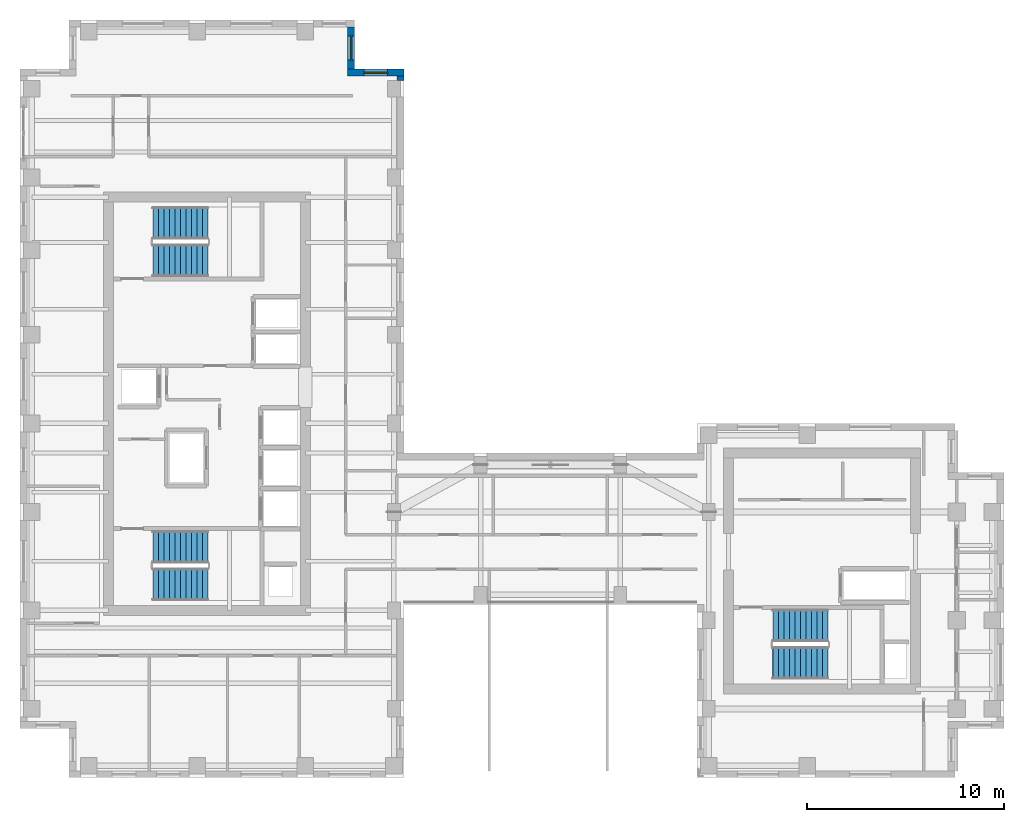
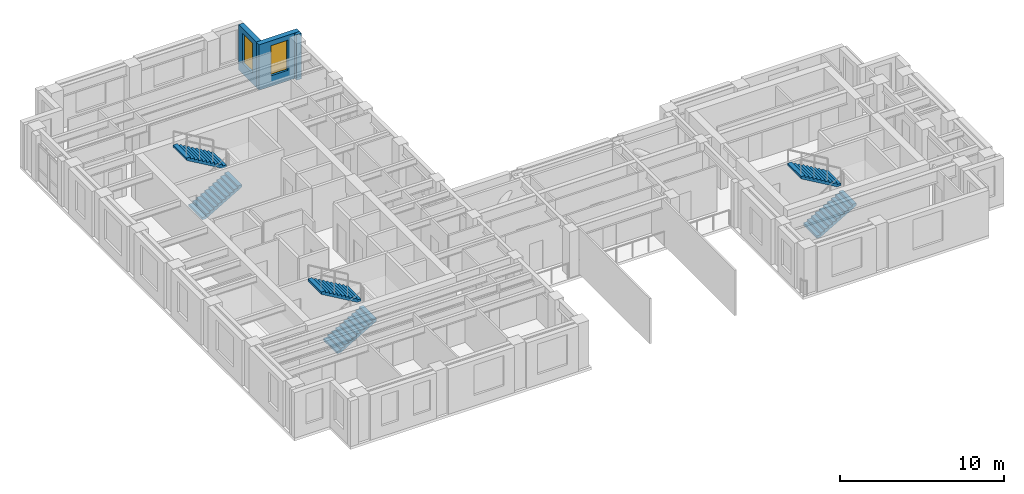
# One storey, part 11 of 14: 6 stair flights, 3 walls, 2 windows, 2 openings, 3 elements without a shape of their own.
"""IFC4 building model written with IfcOpenShell, lengths in metres."""

from ifc_helpers import new_model, si_unit, direction, frame, frame_2d, origin, place, context, subcontext, project, spatial, polyline, rectangle, outline, extrude, source, transform, mapped, material, layer, layer_set, type_object, element, fill, aggregate, save


model = new_model("IFC4")

# Units and contexts
model_context = context("Model", 3, precision=1e-05, world=origin(), true_north=direction((0.0, 1.0)))
body_context = subcontext(model_context, "Body", "Model", "MODEL_VIEW")
ifc_project = project(units=[si_unit("LENGTHUNIT", "METRE"), si_unit("AREAUNIT", "SQUARE_METRE"), si_unit("VOLUMEUNIT", "CUBIC_METRE"), si_unit("PLANEANGLEUNIT", "RADIAN"), si_unit("MASSUNIT", "GRAM", prefix="KILO")], contexts=[model_context])

# Site, building, storey
site_placement = place(None, origin())
site = spatial("IfcSite", under=ifc_project, at=site_placement, CompositionType="ELEMENT")
building_placement = place(site_placement, origin())
building = spatial("IfcBuilding", under=site, at=building_placement, Name="Kharzan Plaza Tower", CompositionType="ELEMENT")
storey_placement = place(building_placement, frame((0.0, 0.0, 241.199951171875)))
storey = spatial("IfcBuildingStorey", under=building, at=storey_placement, Name="L65", CompositionType="ELEMENT", Elevation=241.199951171875)

# Wall, opening, window
ifc_material_1 = material(Name="Concrete C40/50", Category="concrete")
ifc_layer = layer(ifc_material_1, 0.35009765625)
ifc_layer_set = layer_set([ifc_layer], Name="Concrete C40/50")
wall_type = type_object("IfcWallType", Name="WL-EXT-MAS-Z4", PredefinedType="SOLIDWALL", material=ifc_layer_set)
wall_1_placement = place(storey_placement, frame((19.5, 35.824951171875, 0.0), z_axis=(0.0, 0.0, 1.0), x_axis=(-1.0, 0.0, 0.0)))
wall_1 = element("IfcWall", 1, at=wall_1_placement, inside=storey, type_object=wall_type, Name="L65 Masonry-Frame Exterior Wall 07", PredefinedType="SOLIDWALL", context=body_context, shape_type="SweptSolid", body=[
    extrude(rectangle(XDim=2.85009765625, YDim=0.35009765625, at=frame_2d((1.425048828125, 0.0))), origin(), (0.0, 0.0, 1.0), 3.385009765625),
])
opening_1_placement = place(wall_1_placement, frame((0.824951171875, 0.0, 0.780029296875)))
opening_1 = element("IfcOpeningElement", 2, at=opening_1_placement, cuts=wall_1, Name="Opening W3", PredefinedType="OPENING", context=body_context, shape_type="SweptSolid", body=[
    extrude(rectangle(XDim=1.199951171875, YDim=2.25, at=frame_2d((0.60009765625, 1.125))), frame((0.0, 0.18505859375, 0.0), z_axis=(0.0, -1.0, 0.0), x_axis=(1.0, 0.0, 0.0)), (0.0, 0.0, 1.0), 0.3701171875),
])
ifc_material_2 = material(Name="Low-E Double Glazing", Category="glass")
window_type = type_object("IfcWindowType", Name="WN-REC-1200x2100", PartitioningType="SINGLE_PANEL", PredefinedType="WINDOW", material=ifc_material_2)
shared_shape_1 = source(origin(), body_context, "Body", "SweptSolid", [
    extrude(rectangle(XDim=1.199951171875, YDim=2.25, at=frame_2d((0.60009765625, 1.125))), frame((0.0, 0.030029296875, 0.0), z_axis=(0.0, -1.0, 0.0), x_axis=(1.0, 0.0, 0.0)), (0.0, 0.0, 1.0), 0.06005859375),
])
window_1_placement = place(opening_1_placement, origin())
window_1 = element("IfcWindow", 3, at=window_1_placement, inside=storey, type_object=window_type, Name="L65 Recessed Solar-Control Window 07-1", OverallHeight=2.25, OverallWidth=1.199951171875, PartitioningType="SINGLE_PANEL", PredefinedType="WINDOW", context=body_context, shape_type="MappedRepresentation", body=[
    mapped(shared_shape_1, transform((0.0, 0.0, 0.0), x_axis=(1.0, 0.0, 0.0), y_axis=(0.0, 1.0, 0.0), z_axis=(0.0, 0.0, 1.0))),
])
fill(opening_1, window_1)

wall_2_placement = place(storey_placement, frame((16.824951171875, 35.998046875, 0.0), z_axis=(0.0, 0.0, 1.0), x_axis=(0.0, 1.0, 0.0)))
wall_2 = element("IfcWall", 4, at=wall_2_placement, inside=storey, type_object=wall_type, Name="L65 Masonry-Frame Exterior Wall 08", PredefinedType="SOLIDWALL", context=body_context, shape_type="SweptSolid", body=[
    extrude(rectangle(XDim=2.154052734375, YDim=0.35009765625, at=frame_2d((1.0771484375, 0.0))), origin(), (0.0, 0.0, 1.0), 3.385009765625),
])
opening_2_placement = place(wall_2_placement, frame((0.47705078125, 0.0, 0.780029296875)))
opening_2 = element("IfcOpeningElement", 5, at=opening_2_placement, cuts=wall_2, Name="Opening W3", PredefinedType="OPENING", context=body_context, shape_type="SweptSolid", body=[
    extrude(rectangle(XDim=1.199951171875, YDim=2.25, at=frame_2d((0.60009765625, 1.125))), frame((0.0, 0.18505859375, 0.0), z_axis=(0.0, -1.0, 0.0), x_axis=(1.0, 0.0, 0.0)), (0.0, 0.0, 1.0), 0.3701171875),
])
window_2_placement = place(opening_2_placement, origin())
window_2 = element("IfcWindow", 6, at=window_2_placement, inside=storey, type_object=window_type, Name="L65 Recessed Solar-Control Window 08-1", OverallHeight=2.25, OverallWidth=1.199951171875, PartitioningType="SINGLE_PANEL", PredefinedType="WINDOW", context=body_context, shape_type="MappedRepresentation", body=[
    mapped(shared_shape_1, transform((0.0, 0.0, 0.0), x_axis=(1.0, 0.0, 0.0), y_axis=(0.0, 1.0, 0.0), z_axis=(0.0, 0.0, 1.0))),
])
fill(opening_2, window_2)

# Wall
shared_shape_2 = source(origin(), body_context, "Body", "SweptSolid", [
    extrude(rectangle(XDim=0.22900390625, YDim=0.35009765625, at=frame_2d((0.114501953125, 0.0))), origin(), (0.0, 0.0, 1.0), 3.385009765625),
])
wall_3_placement = place(storey_placement, frame((19.324951171875, 35.423095703125, 0.0), z_axis=(0.0, 0.0, 1.0), x_axis=(0.0, 1.0, 0.0)))
element("IfcWall", 7, at=wall_3_placement, inside=storey, type_object=wall_type, Name="L65 Masonry-Frame Exterior Wall 06", PredefinedType="SOLIDWALL", context=body_context, shape_type="MappedRepresentation", body=[
    mapped(shared_shape_2, transform((0.0, 0.0, 0.0), x_axis=(1.0, 0.0, 0.0), y_axis=(0.0, 1.0, 0.0), z_axis=(0.0, 0.0, 1.0))),
])

# Stair, stair flights
stair_type_1 = type_object("IfcStairType", Name="STR-ST-1", PredefinedType="HALF_TURN_STAIR", material=ifc_material_1)
stair_1_placement = place(storey_placement, origin())
stair_1 = element("IfcStair", 8, at=stair_1_placement, inside=storey, type_object=stair_type_1, Name="L65 Protected Exit Stair ST-1", PredefinedType="HALF_TURN_STAIR")
stair_flight_type = type_object("IfcStairFlightType", Name="SFL-1650-R173", PredefinedType="STRAIGHT", material=ifc_material_1)
shared_shape_3 = source(origin(), body_context, "Body", "SweptSolid", [
    extrude(outline(polyline([(-0.0029296875, -0.011962890625), (-0.0029296875, 0.0), (0.0, 0.0), (0.0, 0.16357421875), (0.280029296875, 0.16357421875), (0.280029296875, 0.3271484375), (0.56005859375, 0.3271484375), (0.56005859375, 0.49072265625), (0.840087890625, 0.49072265625), (0.840087890625, 0.654296875), (1.1201171875, 0.654296875), (1.1201171875, 0.81787109375), (1.400146484375, 0.81787109375), (1.400146484375, 0.9814453125), (1.68017578125, 0.9814453125), (1.68017578125, 1.14501953125), (1.960205078125, 1.14501953125), (1.960205078125, 1.30859375), (2.240234375, 1.30859375), (2.240234375, 1.47216796875), (2.520263671875, 1.47216796875), (2.520263671875, 1.6357421875), (2.80029296875, 1.6357421875), (2.80029296875, 1.79931640625), (2.80029296875, 1.462158203125), (0.297119140625, 0.0), (0.297119140625, -0.011962890625), (-0.0029296875, -0.011962890625)])), frame((0.0, 0.824951171875, 0.0), z_axis=(0.0, -1.0, 0.0), x_axis=(1.0, 0.0, 0.0)), (0.0, 0.0, 1.0), 1.64990234375),
])
stair_flight_1_placement = place(storey_placement, frame((6.75, 9.824951171875, 0.0), z_axis=(0.0, 0.0, 1.0), x_axis=(1.0, 0.0, 0.0)))
stair_flight_1 = element("IfcStairFlight", 9, at=stair_flight_1_placement, type_object=stair_flight_type, Name="ST-1 flight 1", NumberOfRisers=11, NumberOfTreads=10, PredefinedType="STRAIGHT", RiserHeight=0.163636364, TreadLength=0.28, context=body_context, shape_type="MappedRepresentation", body=[
    mapped(shared_shape_3, transform((0.0, 0.0, 0.0), x_axis=(1.0, 0.0, 0.0), y_axis=(0.0, 1.0, 0.0), z_axis=(0.0, 0.0, 1.0))),
])
stair_flight_2_placement = place(storey_placement, frame((9.550048828125, 11.72509765625, 1.800048828125), z_axis=(0.0, 0.0, 1.0), x_axis=(-1.0, 0.0, 0.0)))
stair_flight_2 = element("IfcStairFlight", 10, at=stair_flight_2_placement, type_object=stair_flight_type, Name="ST-1 flight 2", NumberOfRisers=11, NumberOfTreads=10, PredefinedType="STRAIGHT", RiserHeight=0.163636364, TreadLength=0.28, context=body_context, shape_type="MappedRepresentation", body=[
    mapped(shared_shape_3, transform((0.0, 0.0, 0.0), x_axis=(1.0, 0.0, 0.0), y_axis=(0.0, 1.0, 0.0), z_axis=(0.0, 0.0, 1.0))),
])
aggregate(stair_1, [stair_flight_1, stair_flight_2])

stair_type_2 = type_object("IfcStairType", Name="STR-ST-2", PredefinedType="HALF_TURN_STAIR", material=ifc_material_1)
stair_2_placement = place(storey_placement, origin())
stair_2 = element("IfcStair", 11, at=stair_2_placement, inside=storey, type_object=stair_type_2, Name="L65 Protected Exit Stair ST-2", PredefinedType="HALF_TURN_STAIR")
stair_flight_3_placement = place(storey_placement, frame((6.75, 26.27490234375, 0.0), z_axis=(0.0, 0.0, 1.0), x_axis=(1.0, 0.0, 0.0)))
stair_flight_3 = element("IfcStairFlight", 12, at=stair_flight_3_placement, type_object=stair_flight_type, Name="ST-2 flight 1", NumberOfRisers=11, NumberOfTreads=10, PredefinedType="STRAIGHT", RiserHeight=0.163636364, TreadLength=0.28, context=body_context, shape_type="MappedRepresentation", body=[
    mapped(shared_shape_3, transform((0.0, 0.0, 0.0), x_axis=(1.0, 0.0, 0.0), y_axis=(0.0, 1.0, 0.0), z_axis=(0.0, 0.0, 1.0))),
])
stair_flight_4_placement = place(storey_placement, frame((9.550048828125, 28.175048828125, 1.800048828125), z_axis=(0.0, 0.0, 1.0), x_axis=(-1.0, 0.0, 0.0)))
stair_flight_4 = element("IfcStairFlight", 13, at=stair_flight_4_placement, type_object=stair_flight_type, Name="ST-2 flight 2", NumberOfRisers=11, NumberOfTreads=10, PredefinedType="STRAIGHT", RiserHeight=0.163636364, TreadLength=0.28, context=body_context, shape_type="MappedRepresentation", body=[
    mapped(shared_shape_3, transform((0.0, 0.0, 0.0), x_axis=(1.0, 0.0, 0.0), y_axis=(0.0, 1.0, 0.0), z_axis=(0.0, 0.0, 1.0))),
])
aggregate(stair_2, [stair_flight_3, stair_flight_4])

stair_type_3 = type_object("IfcStairType", Name="STR-ST-3", PredefinedType="HALF_TURN_STAIR", material=ifc_material_1)
stair_3_placement = place(storey_placement, origin())
stair_3 = element("IfcStair", 14, at=stair_3_placement, inside=storey, type_object=stair_type_3, Name="L65 Protected Exit Stair ST-3", PredefinedType="HALF_TURN_STAIR")
stair_flight_5_placement = place(storey_placement, frame((38.25, 5.824951171875, 0.0), z_axis=(0.0, 0.0, 1.0), x_axis=(1.0, 0.0, 0.0)))
stair_flight_5 = element("IfcStairFlight", 15, at=stair_flight_5_placement, type_object=stair_flight_type, Name="ST-3 flight 1", NumberOfRisers=11, NumberOfTreads=10, PredefinedType="STRAIGHT", RiserHeight=0.163636364, TreadLength=0.28, context=body_context, shape_type="MappedRepresentation", body=[
    mapped(shared_shape_3, transform((0.0, 0.0, 0.0), x_axis=(1.0, 0.0, 0.0), y_axis=(0.0, 1.0, 0.0), z_axis=(0.0, 0.0, 1.0))),
])
stair_flight_6_placement = place(storey_placement, frame((41.050048828125, 7.72509765625, 1.800048828125), z_axis=(0.0, 0.0, 1.0), x_axis=(-1.0, 0.0, 0.0)))
stair_flight_6 = element("IfcStairFlight", 16, at=stair_flight_6_placement, type_object=stair_flight_type, Name="ST-3 flight 2", NumberOfRisers=11, NumberOfTreads=10, PredefinedType="STRAIGHT", RiserHeight=0.163636364, TreadLength=0.28, context=body_context, shape_type="MappedRepresentation", body=[
    mapped(shared_shape_3, transform((0.0, 0.0, 0.0), x_axis=(1.0, 0.0, 0.0), y_axis=(0.0, 1.0, 0.0), z_axis=(0.0, 0.0, 1.0))),
])
aggregate(stair_3, [stair_flight_5, stair_flight_6])

save(model, "model.ifc")
